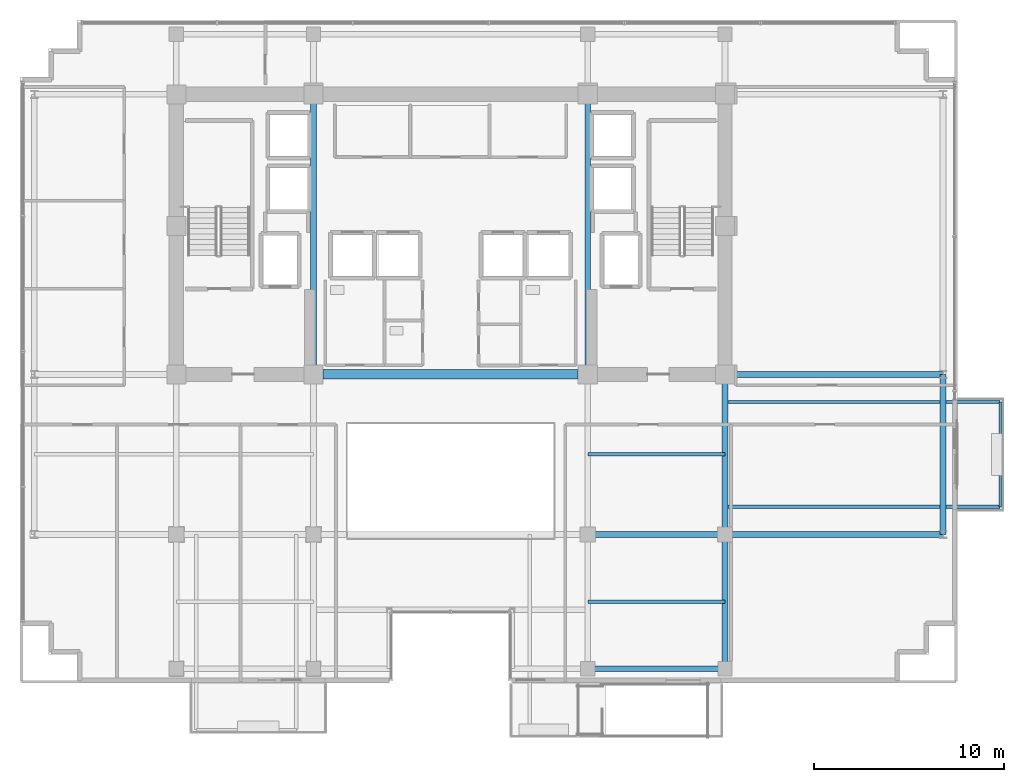
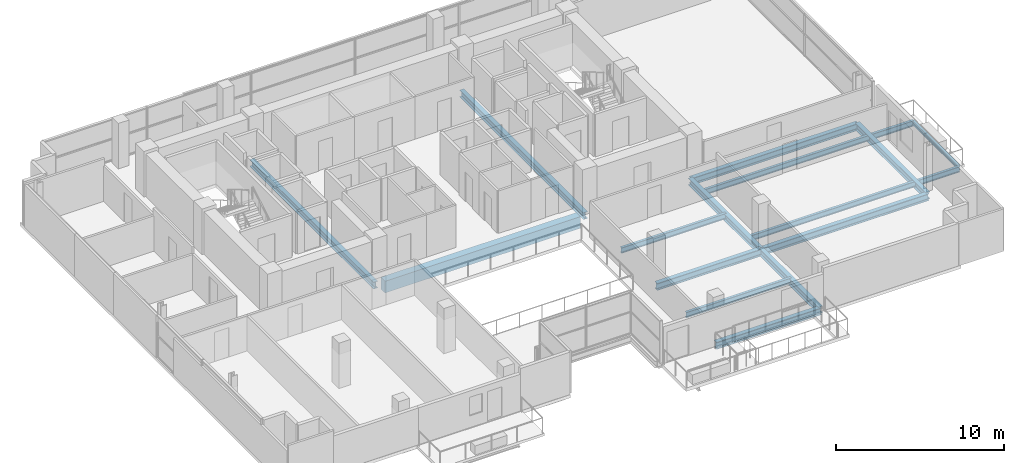
# One storey, part 9 of 23: 15 beams.
"""IFC4 building model written with IfcOpenShell, lengths in metres."""

from ifc_helpers import new_model, si_unit, direction, frame, origin, origin_2d, place, context, subcontext, project, spatial, rectangle, i_section, extrude, material, material_profile, profile_set, type_object, element, save


model = new_model("IFC4")

# Units and contexts
model_context = context("Model", 3, precision=1e-05, world=origin(), true_north=direction((0.0, 1.0)))
body_context = subcontext(model_context, "Body", "Model", "MODEL_VIEW")
ifc_project = project(units=[si_unit("LENGTHUNIT", "METRE"), si_unit("AREAUNIT", "SQUARE_METRE"), si_unit("VOLUMEUNIT", "CUBIC_METRE"), si_unit("PLANEANGLEUNIT", "RADIAN"), si_unit("MASSUNIT", "GRAM", prefix="KILO")], contexts=[model_context])

# Site, building, storey
site_placement = place(None, origin())
site = spatial("IfcSite", under=ifc_project, at=site_placement, CompositionType="ELEMENT")
building_placement = place(site_placement, origin())
building = spatial("IfcBuilding", under=site, at=building_placement, Name="Zarnakvel Exchange Tower", CompositionType="ELEMENT")
storey_placement = place(building_placement, frame((0.0, 0.0, 175.89990234375)))
storey = spatial("IfcBuildingStorey", under=building, at=storey_placement, Name="L49", CompositionType="ELEMENT", Elevation=175.89990234375)

# Beams
ifc_material_1 = material(Name="Steel S355", Category="steel")
ifc_material_profile_1 = material_profile(ifc_material_1, i_section(OverallWidth=0.179931640625, OverallDepth=0.39990234375, WebThickness=0.008544921875, FlangeThickness=0.013427734375, FilletRadius=0.02099609375, at=origin_2d()))
ifc_profile_set_1 = profile_set([ifc_material_profile_1], Name="Steel S355")
beam_type_1 = type_object("IfcBeamType", Name="B-06", PredefinedType="JOIST", material=ifc_profile_set_1)
for number, where, z_axis, x_axis, name in (
    (1, (7.199951171875, -13.125, -0.4248046875), (1.0, 0.0, 0.0), (0.0, 1.0, 0.0), "L49 Composite Floor Secondary Joist"),
    (2, (7.199951171875, -5.39990234375, -0.4248046875), (1.0, 0.0, 0.0), (0.0, 1.0, 0.0), "L49 Composite Floor Secondary Joist"),
):
    element("IfcBeam", number, at=place(storey_placement, frame(where, z_axis=z_axis, x_axis=x_axis)), inside=storey, type_object=beam_type_1, Name=name, PredefinedType="JOIST", context=body_context, shape_type="SweptSolid", body=[
        extrude(i_section(OverallWidth=0.179931640625, OverallDepth=0.39990234375, WebThickness=0.008544921875, FlangeThickness=0.013427734375, FilletRadius=0.02099609375, at=origin_2d()), origin(), (0.0, 0.0, 1.0), 7.199951171875),
    ])
for number, where, z_axis, x_axis, name in (
    (3, (14.39990234375, -8.14990234375, -0.4248046875), (1.0, 0.0, 0.0), (0.0, 1.0, 0.0), "L49 Continuous East Loggia Beam S"),
    (4, (14.39990234375, -2.64990234375, -0.4248046875), (1.0, 0.0, 0.0), (0.0, 1.0, 0.0), "L49 Continuous East Loggia Beam N"),
):
    element("IfcBeam", number, at=place(storey_placement, frame(where, z_axis=z_axis, x_axis=x_axis)), inside=storey, type_object=beam_type_1, Name=name, PredefinedType="JOIST", context=body_context, shape_type="SweptSolid", body=[
        extrude(i_section(OverallWidth=0.179931640625, OverallDepth=0.39990234375, WebThickness=0.008544921875, FlangeThickness=0.013427734375, FilletRadius=0.02099609375, at=origin_2d()), origin(), (0.0, 0.0, 1.0), 14.4501953125),
    ])
ifc_material_profile_2 = material_profile(ifc_material_1, i_section(OverallWidth=0.14990234375, OverallDepth=0.300048828125, WebThickness=0.007080078125, FlangeThickness=0.0107421875, FilletRadius=0.014892578125, at=origin_2d()))
ifc_profile_set_2 = profile_set([ifc_material_profile_2], Name="Steel S355")
beam_type_2 = type_object("IfcBeamType", Name="B-08", PredefinedType="JOIST", material=ifc_profile_set_2)
beam_1_placement = place(storey_placement, frame((28.85009765625, -8.14990234375, -0.375), z_axis=(0.0, 1.0, 0.0), x_axis=(-1.0, 0.0, 0.0)))
element("IfcBeam", 5, at=beam_1_placement, inside=storey, type_object=beam_type_2, Name="L49 East Loggia Edge Beam", PredefinedType="JOIST", context=body_context, shape_type="SweptSolid", body=[
    extrude(i_section(OverallWidth=0.14990234375, OverallDepth=0.300048828125, WebThickness=0.007080078125, FlangeThickness=0.0107421875, FilletRadius=0.014892578125, at=origin_2d()), origin(), (0.0, 0.0, 1.0), 5.5),
])
ifc_material_2 = material(Name="Concrete C60/75", Category="concrete")
ifc_material_profile_3 = material_profile(ifc_material_2, rectangle(XDim=0.5, YDim=0.85009765625, at=origin_2d()))
ifc_profile_set_3 = profile_set([ifc_material_profile_3], Name="Concrete C60/75")
beam_type_3 = type_object("IfcBeamType", Name="CB-02", PredefinedType="LINTEL", material=ifc_profile_set_3)
beam_2_placement = place(storey_placement, frame((-6.699951171875, -1.199951171875, -0.64990234375), z_axis=(1.0, 0.0, 0.0), x_axis=(0.0, 1.0, 0.0)))
element("IfcBeam", 6, at=beam_2_placement, inside=storey, type_object=beam_type_3, Name="L49 Rear Core South Coupling Beam (CB-02)", PredefinedType="LINTEL", context=body_context, shape_type="SweptSolid", body=[
    extrude(rectangle(XDim=0.5, YDim=0.85009765625, at=origin_2d()), origin(), (0.0, 0.0, 1.0), 13.39990234375),
])
ifc_material_profile_4 = material_profile(ifc_material_1, i_section(OverallWidth=0.300048828125, OverallDepth=0.5, WebThickness=0.014404296875, FlangeThickness=0.028076171875, FilletRadius=0.027099609375, at=origin_2d()))
ifc_profile_set_4 = profile_set([ifc_material_profile_4], Name="Steel S355")
beam_type_4 = type_object("IfcBeamType", Name="G-06", PredefinedType="BEAM", material=ifc_profile_set_4)
beam_3_placement = place(storey_placement, frame((7.199951171875, -9.60009765625, -0.474853515625), z_axis=(1.0, 0.0, 0.0), x_axis=(0.0, 1.0, 0.0)))
element("IfcBeam", 7, at=beam_3_placement, inside=storey, type_object=beam_type_4, Name="L49 Tower E-W Frame Beam", PredefinedType="BEAM", context=body_context, shape_type="SweptSolid", body=[
    extrude(i_section(OverallWidth=0.300048828125, OverallDepth=0.5, WebThickness=0.014404296875, FlangeThickness=0.028076171875, FilletRadius=0.027099609375, at=origin_2d()), origin(), (0.0, 0.0, 1.0), 7.199951171875),
])
for number, where, z_axis, x_axis, name in (
    (8, (14.39990234375, -9.60009765625, -0.474853515625), (1.0, 0.0, 0.0), (0.0, 1.0, 0.0), "L49 Tower E-W Frame Beam"),
    (9, (14.39990234375, -1.199951171875, -0.474853515625), (1.0, 0.0, 0.0), (0.0, 1.0, 0.0), "L49 Tower E-W Frame Beam"),
):
    element("IfcBeam", number, at=place(storey_placement, frame(where, z_axis=z_axis, x_axis=x_axis)), inside=storey, type_object=beam_type_4, Name=name, PredefinedType="BEAM", context=body_context, shape_type="SweptSolid", body=[
        extrude(i_section(OverallWidth=0.300048828125, OverallDepth=0.5, WebThickness=0.014404296875, FlangeThickness=0.028076171875, FilletRadius=0.027099609375, at=origin_2d()), origin(), (0.0, 0.0, 1.0), 11.4501953125),
    ])
for number, where, z_axis, x_axis, name in (
    (10, (-7.199951171875, -1.199951171875, -0.474853515625), (0.0, 1.0, 0.0), (-1.0, 0.0, 0.0), "L49 Tower N-S Frame Beam"),
    (11, (7.199951171875, -1.199951171875, -0.474853515625), (0.0, 1.0, 0.0), (-1.0, 0.0, 0.0), "L49 Tower N-S Frame Beam"),
):
    element("IfcBeam", number, at=place(storey_placement, frame(where, z_axis=z_axis, x_axis=x_axis)), inside=storey, type_object=beam_type_4, Name=name, PredefinedType="BEAM", context=body_context, shape_type="SweptSolid", body=[
        extrude(i_section(OverallWidth=0.300048828125, OverallDepth=0.5, WebThickness=0.014404296875, FlangeThickness=0.028076171875, FilletRadius=0.027099609375, at=origin_2d()), origin(), (0.0, 0.0, 1.0), 14.699951171875),
    ])
beam_4_placement = place(storey_placement, frame((14.39990234375, -16.64990234375, -0.474853515625), z_axis=(0.0, 1.0, 0.0), x_axis=(-1.0, 0.0, 0.0)))
element("IfcBeam", 12, at=beam_4_placement, inside=storey, type_object=beam_type_4, Name="L49 Tower N-S Frame Beam", PredefinedType="BEAM", context=body_context, shape_type="SweptSolid", body=[
    extrude(i_section(OverallWidth=0.300048828125, OverallDepth=0.5, WebThickness=0.014404296875, FlangeThickness=0.028076171875, FilletRadius=0.027099609375, at=origin_2d()), origin(), (0.0, 0.0, 1.0), 7.0498046875),
])
beam_5_placement = place(storey_placement, frame((14.39990234375, -9.60009765625, -0.474853515625), z_axis=(0.0, 1.0, 0.0), x_axis=(-1.0, 0.0, 0.0)))
element("IfcBeam", 13, at=beam_5_placement, inside=storey, type_object=beam_type_4, Name="L49 Tower N-S Frame Beam", PredefinedType="BEAM", context=body_context, shape_type="SweptSolid", body=[
    extrude(i_section(OverallWidth=0.300048828125, OverallDepth=0.5, WebThickness=0.014404296875, FlangeThickness=0.028076171875, FilletRadius=0.027099609375, at=origin_2d()), origin(), (0.0, 0.0, 1.0), 8.400146484375),
])
ifc_material_profile_5 = material_profile(ifc_material_1, i_section(OverallWidth=0.300048828125, OverallDepth=0.5, WebThickness=0.014404296875, FlangeThickness=0.028076171875, FilletRadius=0.027099609375, at=origin_2d()))
ifc_profile_set_5 = profile_set([ifc_material_profile_5], Name="Steel S355")
beam_type_5 = type_object("IfcBeamType", Name="SP-02", PredefinedType="SPANDREL", material=ifc_profile_set_5)
beam_6_placement = place(storey_placement, frame((7.199951171875, -16.64990234375, -0.474853515625), z_axis=(1.0, 0.0, 0.0), x_axis=(0.0, 1.0, 0.0)))
element("IfcBeam", 14, at=beam_6_placement, inside=storey, type_object=beam_type_5, Name="L49 Tower E-W Frame Beam", PredefinedType="SPANDREL", context=body_context, shape_type="SweptSolid", body=[
    extrude(i_section(OverallWidth=0.300048828125, OverallDepth=0.5, WebThickness=0.014404296875, FlangeThickness=0.028076171875, FilletRadius=0.027099609375, at=origin_2d()), origin(), (0.0, 0.0, 1.0), 7.199951171875),
])
beam_7_placement = place(storey_placement, frame((25.85009765625, -9.60009765625, -0.474853515625), z_axis=(0.0, 1.0, 0.0), x_axis=(-1.0, 0.0, 0.0)))
element("IfcBeam", 15, at=beam_7_placement, inside=storey, type_object=beam_type_5, Name="L49 Tower N-S Frame Beam", PredefinedType="SPANDREL", context=body_context, shape_type="SweptSolid", body=[
    extrude(i_section(OverallWidth=0.300048828125, OverallDepth=0.5, WebThickness=0.014404296875, FlangeThickness=0.028076171875, FilletRadius=0.027099609375, at=origin_2d()), origin(), (0.0, 0.0, 1.0), 8.400146484375),
])

save(model, "model.ifc")
